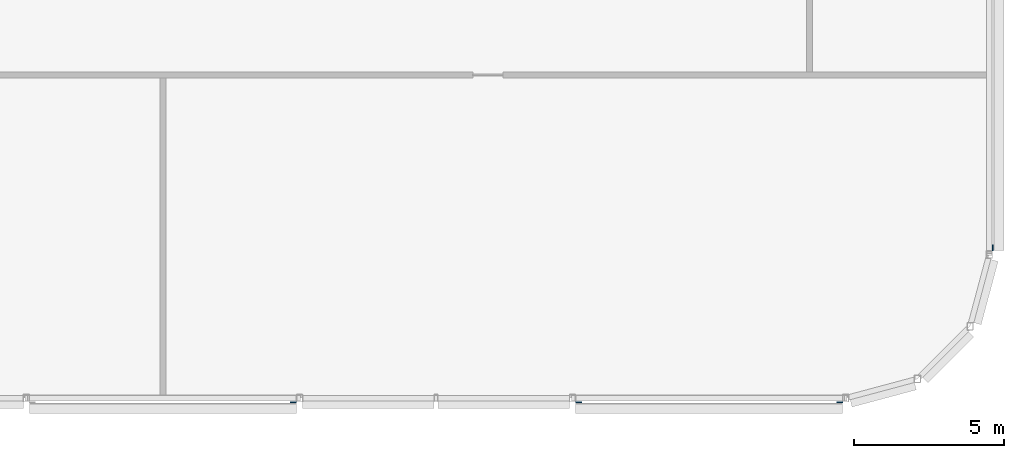
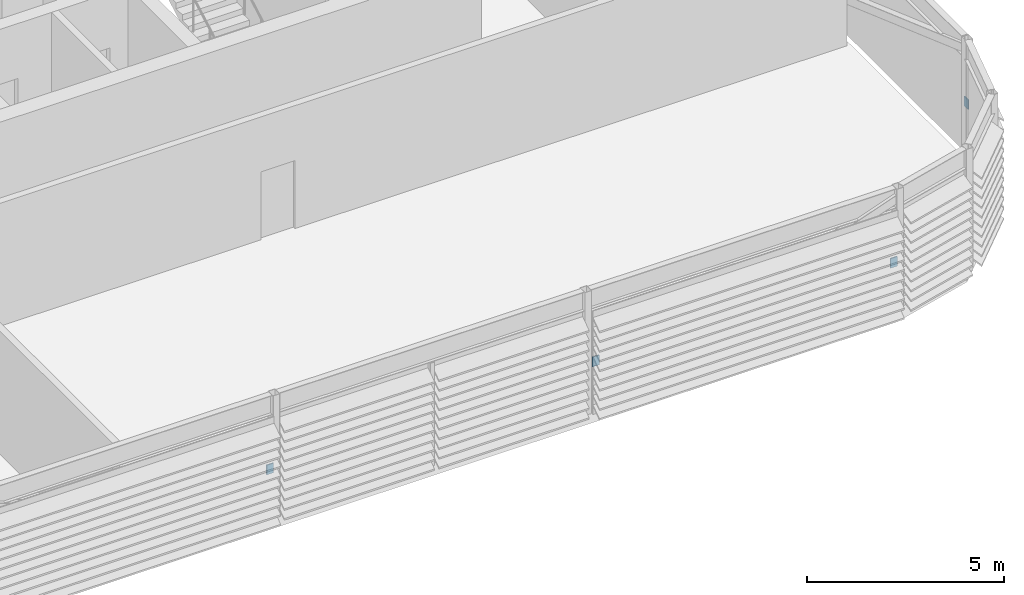
# One storey, part 21 of 28: 4 discrete accessories.
"""IFC4 building model written with IfcOpenShell, lengths in metres."""

from ifc_helpers import new_model, si_unit, direction, frame, origin, origin_2d, place, context, subcontext, project, spatial, rectangle, extrude, material, type_object, element, save


model = new_model("IFC4")

# Units and contexts
model_context = context("Model", 3, precision=1e-05, world=origin(), true_north=direction((0.0, 1.0)))
body_context = subcontext(model_context, "Body", "Model", "MODEL_VIEW")
ifc_project = project(units=[si_unit("LENGTHUNIT", "METRE"), si_unit("AREAUNIT", "SQUARE_METRE"), si_unit("VOLUMEUNIT", "CUBIC_METRE"), si_unit("PLANEANGLEUNIT", "RADIAN"), si_unit("MASSUNIT", "GRAM", prefix="KILO")], contexts=[model_context])

# Site, building, storey
site_placement = place(None, origin())
site = spatial("IfcSite", under=ifc_project, at=site_placement, CompositionType="ELEMENT")
building_placement = place(site_placement, origin())
building = spatial("IfcBuilding", under=site, at=building_placement, Name="Madar Terraces", CompositionType="ELEMENT")
storey_placement = place(building_placement, frame((0.0, 0.0, 310.10009765625)))
storey = spatial("IfcBuildingStorey", under=building, at=storey_placement, Name="L80", CompositionType="ELEMENT", Elevation=310.10009765625)

# Discrete accessories
ifc_material = material(Name="Steel, galvanised", Category="steel")
discrete_accessory_type = type_object("IfcDiscreteAccessoryType", Name="Louvre bank bracket", PredefinedType="BRACKET", material=ifc_material)
for number, where, z_axis, x_axis, name in (
    (1, (33.158447265625, 1.05810546875, 1.44873046875), (0.0, 0.0, 1.0), (1.0, 0.0, 0.0), "Louvre bank bracket"),
    (2, (42.681640625, 1.05810546875, 1.44873046875), (0.0, 0.0, 1.0), (1.0, 0.0, 0.0), "Louvre bank bracket"),
    (3, (51.3984375, 1.05810546875, 1.44873046875), (0.0, 0.0, 1.0), (1.0, 0.0, 0.0), "Louvre bank bracket"),
    (4, (56.5166015625, 6.22705078125, 1.44873046875), (0.0, 0.0, 1.0), (0.0, 1.0, 0.0), "Louvre bank bracket"),
):
    element("IfcDiscreteAccessory", number, at=place(storey_placement, frame(where, z_axis=z_axis, x_axis=x_axis)), inside=storey, type_object=discrete_accessory_type, Name=name, PredefinedType="BRACKET", context=body_context, shape_type="SweptSolid", body=[
        extrude(rectangle(XDim=0.199951171875, YDim=0.030029296875, at=origin_2d()), origin(), (0.0, 0.0, 1.0), 0.300048828125),
    ])

save(model, "model.ifc")
